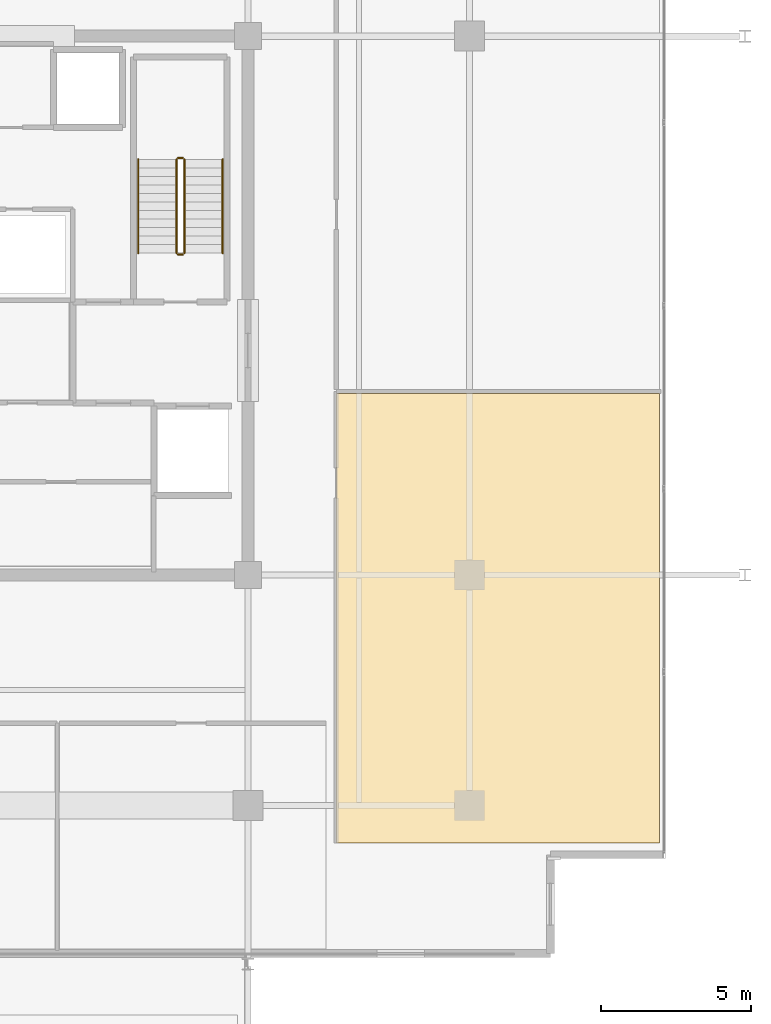
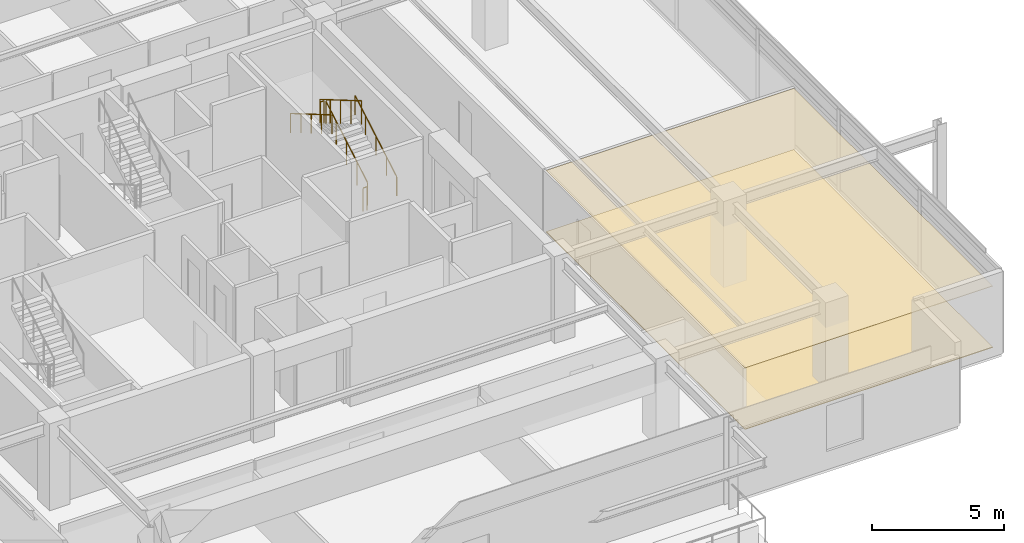
# One storey, part 19 of 20: 6 railings, 2 coverings.
"""IFC4 building model written with IfcOpenShell, lengths in metres."""

from ifc_helpers import new_model, si_unit, direction, frame, origin, origin_2d, place, context, subcontext, project, spatial, polyline, circle, outline, extrude, material, layer, layer_set, type_object, element, save


model = new_model("IFC4")

# Units and contexts
model_context = context("Model", 3, precision=1e-05, world=origin(), true_north=direction((0.0, 1.0)))
body_context = subcontext(model_context, "Body", "Model", "MODEL_VIEW")
ifc_project = project(units=[si_unit("LENGTHUNIT", "METRE"), si_unit("AREAUNIT", "SQUARE_METRE"), si_unit("VOLUMEUNIT", "CUBIC_METRE"), si_unit("PLANEANGLEUNIT", "RADIAN"), si_unit("MASSUNIT", "GRAM", prefix="KILO")], contexts=[model_context])

# Site, building, storey
site_placement = place(None, origin())
site = spatial("IfcSite", under=ifc_project, at=site_placement, CompositionType="ELEMENT")
building_placement = place(site_placement, origin())
building = spatial("IfcBuilding", under=site, at=building_placement, Name="Kovane Verandah Tower", CompositionType="ELEMENT")
storey_placement = place(building_placement, frame((0.0, 0.0, 322.800048828125)))
storey = spatial("IfcBuildingStorey", under=building, at=storey_placement, Name="L75", CompositionType="ELEMENT", Elevation=322.800048828125)

# Coverings
ifc_material_1 = material(Name="Perforated Acoustic Mineral-Fibre Ceiling Tile", Category="gypsum")
ifc_layer_1 = layer(ifc_material_1, 0.02490234375)
ifc_layer_set_1 = layer_set([ifc_layer_1], Name="Perforated Acoustic Mineral-Fibre Ceiling Tile")
covering_type_1 = type_object("IfcCoveringType", Name="CV-CEIL-25", PredefinedType="CEILING", material=ifc_layer_set_1)
covering_1_placement = place(storey_placement, frame((0.0, 0.0, 2.824951171875)))
element("IfcCovering", 1, at=covering_1_placement, inside=storey, type_object=covering_type_1, Name="L75 Document and Print Room E1 Acoustic Ceiling", PredefinedType="CEILING", context=body_context, shape_type="SweptSolid", body=[
    extrude(outline(polyline([(53.949951171875, 9.550048828125), (64.75, 9.550048828125), (64.75, 24.55810546875), (53.949951171875, 24.55810546875), (53.949951171875, 9.550048828125)])), origin(), (0.0, 0.0, 1.0), 0.02490234375),
])
ifc_material_2 = material(Name="Polished Terrazzo and Raised-Access Carpet Tile Finish", Category="concrete")
ifc_layer_2 = layer(ifc_material_2, 0.030029296875)
ifc_layer_set_2 = layer_set([ifc_layer_2], Name="Polished Terrazzo and Raised-Access Carpet Tile Finish")
covering_type_2 = type_object("IfcCoveringType", Name="CV-FLOR-30", PredefinedType="FLOORING", material=ifc_layer_set_2)
covering_2_placement = place(storey_placement, origin())
element("IfcCovering", 2, at=covering_2_placement, inside=storey, type_object=covering_type_2, Name="L75 Document and Print Room E1 Floor Finish", PredefinedType="FLOORING", context=body_context, shape_type="SweptSolid", body=[
    extrude(outline(polyline([(53.949951171875, 9.550048828125), (64.75, 9.550048828125), (64.75, 24.55810546875), (53.949951171875, 24.55810546875), (53.949951171875, 9.550048828125)])), origin(), (0.0, 0.0, 1.0), 0.030029296875),
])

# Railings
ifc_material_3 = material(Name="Brushed Stainless Steel Handrail", Category="steel")
railing_type_1 = type_object("IfcRailingType", Name="RL-HAND-920", PredefinedType="HANDRAIL", material=ifc_material_3)
railing_1_placement = place(storey_placement, frame((50.14990234375, 29.25, 0.16650390625)))
element("IfcRailing", 3, at=railing_1_placement, inside=storey, type_object=railing_type_1, Name="L75 ST-02 stair handrail 1", PredefinedType="HANDRAIL", context=body_context, shape_type="SweptSolid", body=[
    extrude(circle(Radius=0.02392578125, at=origin_2d()), frame((0.0, 0.0, 0.8759765625), z_axis=(0.0, 0.863210265497, 0.504844567704), x_axis=(-1.0, 0.0, 0.0)), (0.0, 0.0, 1.0), 3.6318359375),
    extrude(circle(Radius=0.02099609375, at=origin_2d()), origin(), (0.0, 0.0, 1.0), 0.851806640625),
    extrude(circle(Radius=0.02099609375, at=origin_2d()), frame((0.0, 0.78369140625, 0.45849609375)), (0.0, 0.0, 1.0), 0.851806640625),
    extrude(circle(Radius=0.02099609375, at=origin_2d()), frame((0.0, 1.5673828125, 0.916748046875)), (0.0, 0.0, 1.0), 0.851806640625),
    extrude(circle(Radius=0.02099609375, at=origin_2d()), frame((0.0, 2.351318359375, 1.375)), (0.0, 0.0, 1.0), 0.851806640625),
    extrude(circle(Radius=0.02099609375, at=origin_2d()), frame((0.0, 3.135009765625, 1.83349609375)), (0.0, 0.0, 1.0), 0.851806640625),
])
railing_2_placement = place(storey_placement, frame((47.330078125, 32.385009765625, 2.16650390625)))
element("IfcRailing", 4, at=railing_2_placement, inside=storey, type_object=railing_type_1, Name="L75 ST-02 stair handrail 2", PredefinedType="HANDRAIL", context=body_context, shape_type="SweptSolid", body=[
    extrude(circle(Radius=0.02392578125, at=origin_2d()), frame((0.0, 0.0, 0.8759765625), z_axis=(0.0, -0.863210265497, 0.504844567704), x_axis=(1.0, 0.0, 0.0)), (0.0, 0.0, 1.0), 3.6318359375),
    extrude(circle(Radius=0.02099609375, at=origin_2d()), origin(), (0.0, 0.0, 1.0), 0.851806640625),
    extrude(circle(Radius=0.02099609375, at=origin_2d()), frame((0.0, -0.78369140625, 0.45849609375)), (0.0, 0.0, 1.0), 0.851806640625),
    extrude(circle(Radius=0.02099609375, at=origin_2d()), frame((0.0, -1.5673828125, 0.916748046875)), (0.0, 0.0, 1.0), 0.851806640625),
    extrude(circle(Radius=0.02099609375, at=origin_2d()), frame((0.0, -2.351318359375, 1.375)), (0.0, 0.0, 1.0), 0.851806640625),
    extrude(circle(Radius=0.02099609375, at=origin_2d()), frame((0.0, -3.135009765625, 1.83349609375)), (0.0, 0.0, 1.0), 0.851806640625),
])
ifc_material_4 = material(Name="Painted Steel Stairwell Guardrail", Category="steel")
railing_type_2 = type_object("IfcRailingType", Name="RL-STGUARD-1120", PredefinedType="GUARDRAIL", material=ifc_material_4)
railing_3_placement = place(storey_placement, frame((48.8701171875, 29.25, 0.16650390625)))
element("IfcRailing", 5, at=railing_3_placement, inside=storey, type_object=railing_type_2, Name="L75 ST-02 stair guard 1", PredefinedType="GUARDRAIL", context=body_context, shape_type="SweptSolid", body=[
    extrude(circle(Radius=0.02392578125, at=origin_2d()), frame((0.0, 0.0, 1.076171875), z_axis=(0.0, 0.863210265497, 0.504844567704), x_axis=(-1.0, 0.0, 0.0)), (0.0, 0.0, 1.0), 3.6318359375),
    extrude(circle(Radius=0.02099609375, at=origin_2d()), origin(), (0.0, 0.0, 1.0), 1.052001953125),
    extrude(circle(Radius=0.02099609375, at=origin_2d()), frame((0.0, 0.78369140625, 0.45849609375)), (0.0, 0.0, 1.0), 1.052001953125),
    extrude(circle(Radius=0.02099609375, at=origin_2d()), frame((0.0, 1.5673828125, 0.916748046875)), (0.0, 0.0, 1.0), 1.052001953125),
    extrude(circle(Radius=0.02099609375, at=origin_2d()), frame((0.0, 2.351318359375, 1.375)), (0.0, 0.0, 1.0), 1.052001953125),
    extrude(circle(Radius=0.02099609375, at=origin_2d()), frame((0.0, 3.135009765625, 1.83349609375)), (0.0, 0.0, 1.0), 1.052001953125),
])
railing_4_placement = place(storey_placement, frame((48.820068359375, 32.43505859375, 2.0)))
element("IfcRailing", 6, at=railing_4_placement, inside=storey, type_object=railing_type_2, Name="L75 ST-02 stair guard 2", PredefinedType="GUARDRAIL", context=body_context, shape_type="SweptSolid", body=[
    extrude(circle(Radius=0.02392578125, at=origin_2d()), frame((0.0, 0.0, 1.076171875), z_axis=(-1.0, 0.0, 0.0), x_axis=(0.0, -1.0, 0.0)), (0.0, 0.0, 1.0), 0.16015625),
    extrude(circle(Radius=0.02099609375, at=origin_2d()), origin(), (0.0, 0.0, 1.0), 1.052001953125),
    extrude(circle(Radius=0.02099609375, at=origin_2d()), frame((-0.16015625, 0.0, 0.0)), (0.0, 0.0, 1.0), 1.052001953125),
])
railing_5_placement = place(storey_placement, frame((48.610107421875, 32.385009765625, 2.16650390625)))
element("IfcRailing", 7, at=railing_5_placement, inside=storey, type_object=railing_type_2, Name="L75 ST-02 stair guard 3", PredefinedType="GUARDRAIL", context=body_context, shape_type="SweptSolid", body=[
    extrude(circle(Radius=0.02392578125, at=origin_2d()), frame((0.0, 0.0, 1.076171875), z_axis=(0.0, -0.863210265497, 0.504844567704), x_axis=(1.0, 0.0, 0.0)), (0.0, 0.0, 1.0), 3.6318359375),
    extrude(circle(Radius=0.02099609375, at=origin_2d()), origin(), (0.0, 0.0, 1.0), 1.052001953125),
    extrude(circle(Radius=0.02099609375, at=origin_2d()), frame((0.0, -0.78369140625, 0.45849609375)), (0.0, 0.0, 1.0), 1.052001953125),
    extrude(circle(Radius=0.02099609375, at=origin_2d()), frame((0.0, -1.5673828125, 0.916748046875)), (0.0, 0.0, 1.0), 1.052001953125),
    extrude(circle(Radius=0.02099609375, at=origin_2d()), frame((0.0, -2.351318359375, 1.375)), (0.0, 0.0, 1.0), 1.052001953125),
    extrude(circle(Radius=0.02099609375, at=origin_2d()), frame((0.0, -3.135009765625, 1.83349609375)), (0.0, 0.0, 1.0), 1.052001953125),
])
railing_6_placement = place(storey_placement, frame((48.820068359375, 29.199951171875, 0.0)))
element("IfcRailing", 8, at=railing_6_placement, inside=storey, type_object=railing_type_2, Name="L75 ST-02 stair guard 4", PredefinedType="GUARDRAIL", context=body_context, shape_type="SweptSolid", body=[
    extrude(circle(Radius=0.02392578125, at=origin_2d()), frame((0.0, 0.0, 1.076171875), z_axis=(-1.0, 0.0, 0.0), x_axis=(0.0, -1.0, 0.0)), (0.0, 0.0, 1.0), 0.16015625),
    extrude(circle(Radius=0.02099609375, at=origin_2d()), origin(), (0.0, 0.0, 1.0), 1.052001953125),
    extrude(circle(Radius=0.02099609375, at=origin_2d()), frame((-0.16015625, 0.0, 0.0)), (0.0, 0.0, 1.0), 1.052001953125),
])

save(model, "model.ifc")
